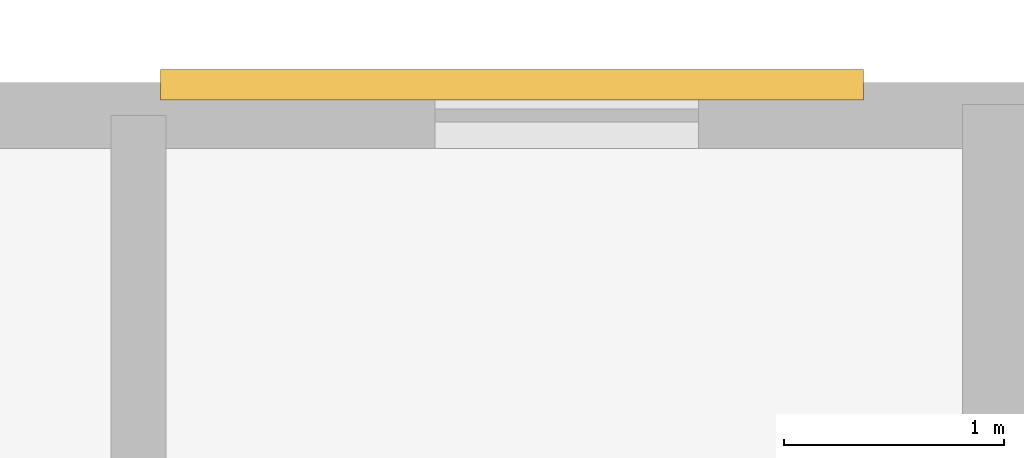
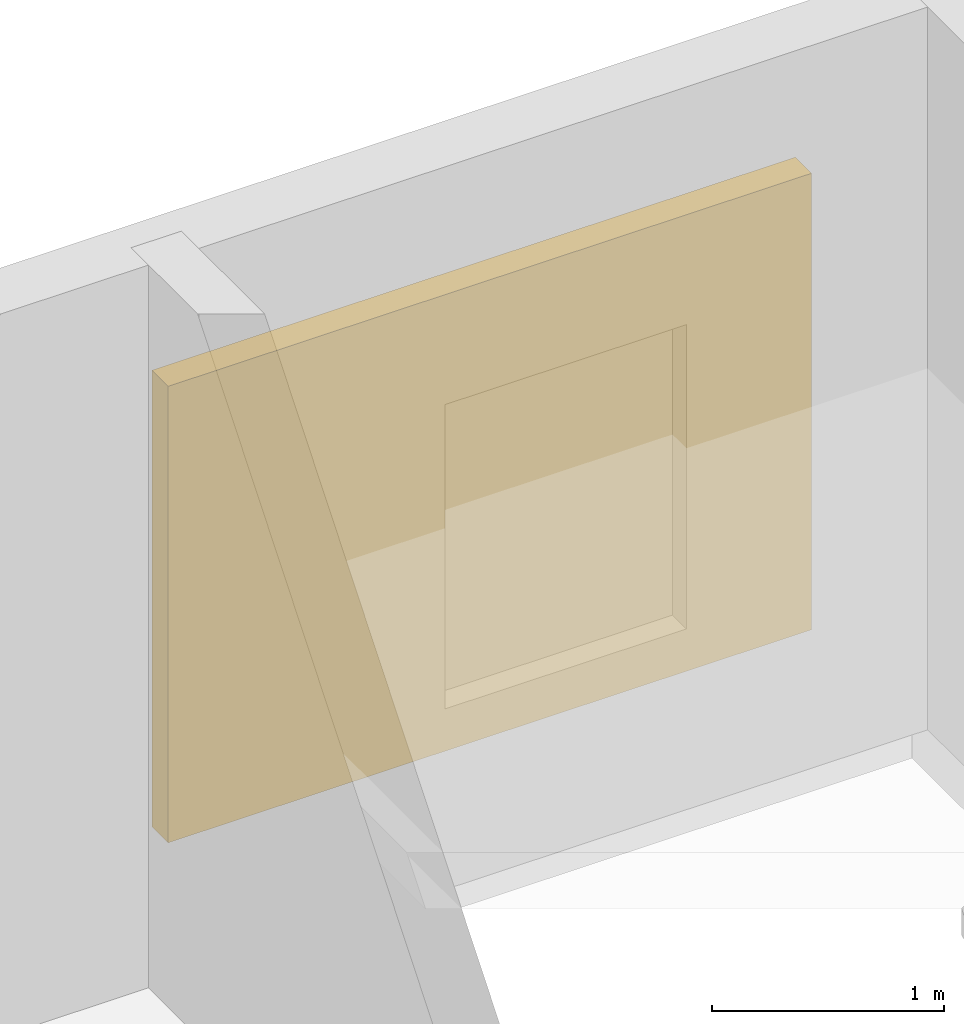
# One storey, part 23 of 23: 1 shading device.
"""IFC4 building model written with IfcOpenShell, lengths in metres."""

from ifc_helpers import new_model, si_unit, direction, frame, origin, origin_2d, place, context, subcontext, project, spatial, rectangle, extrude, material, type_object, element, save


model = new_model("IFC4")

# Units and contexts
model_context = context("Model", 3, precision=1e-05, world=origin(), true_north=direction((0.0, 1.0)))
body_context = subcontext(model_context, "Body", "Model", "MODEL_VIEW")
ifc_project = project(units=[si_unit("LENGTHUNIT", "METRE"), si_unit("AREAUNIT", "SQUARE_METRE"), si_unit("VOLUMEUNIT", "CUBIC_METRE"), si_unit("PLANEANGLEUNIT", "RADIAN"), si_unit("MASSUNIT", "GRAM", prefix="KILO")], contexts=[model_context])

# Site, building, storey
site_placement = place(None, origin())
site = spatial("IfcSite", under=ifc_project, at=site_placement, CompositionType="ELEMENT")
building_placement = place(site_placement, origin())
building = spatial("IfcBuilding", under=site, at=building_placement, Name="Catumbela Crestline Tower", CompositionType="ELEMENT")
storey_placement = place(building_placement, frame((0.0, 0.0, 245.0)))
storey = spatial("IfcBuildingStorey", under=building, at=storey_placement, Name="L63", CompositionType="ELEMENT", Elevation=245.0)

# Shading device
ifc_material = material(Name="Extruded terracotta ceramic", Category="masonry")
shading_device_type = type_object("IfcShadingDeviceType", Name="ST-180", PredefinedType="USERDEFINED", material=ifc_material)
shading_device_placement = place(storey_placement, frame((37.8, 43.04, 0.55), z_axis=(0.0, 0.0, 1.0), x_axis=(1.0, 0.0, 0.0)))
element("IfcShadingDevice", 1, at=shading_device_placement, inside=storey, type_object=shading_device_type, Name="L63 Rear Core Terracotta Brise-Soleil Screen 758", ObjectType="SCREEN", PredefinedType="USERDEFINED", context=body_context, shape_type="SweptSolid", body=[
    extrude(rectangle(XDim=3.2, YDim=0.14, at=origin_2d()), origin(), (0.0, 0.0, 1.0), 2.4),
])

save(model, "model.ifc")
